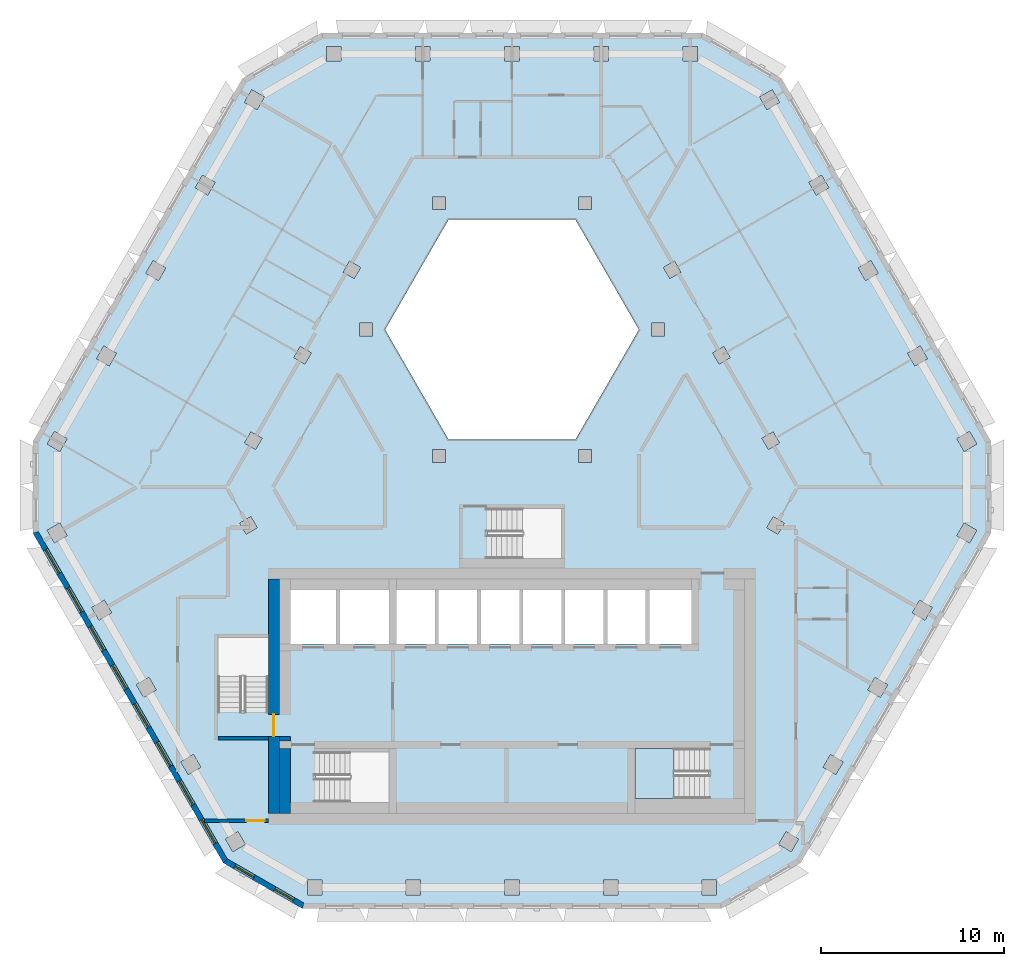
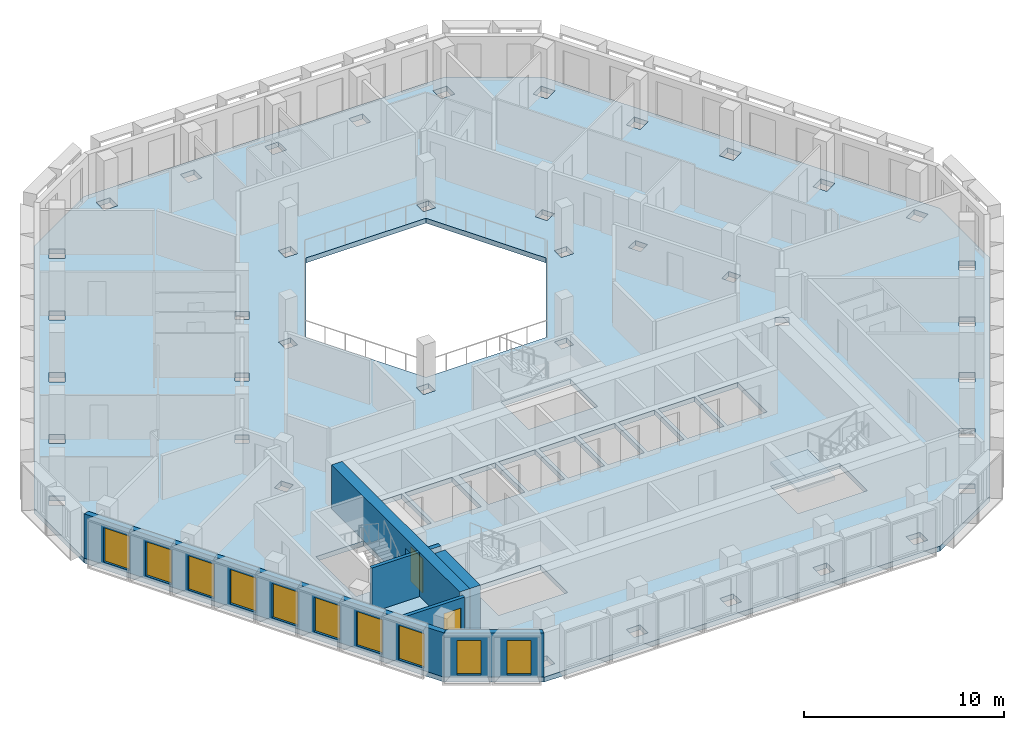
# One storey, part 2 of 17: 10 windows, 7 walls, 2 doors, 2 slabs, 12 openings, 1 element without a shape of its own.
"""IFC4 building model written with IfcOpenShell, lengths in metres."""

from ifc_helpers import new_model, si_unit, direction, frame, frame_2d, origin, place, context, subcontext, project, spatial, polyline, rectangle, outline, extrude, material, layer, layer_set, type_object, element, fill, aggregate, save


model = new_model("IFC4")

# Units and contexts
model_context = context("Model", 3, precision=1e-05, world=origin(), true_north=direction((0.0, 1.0)))
body_context = subcontext(model_context, "Body", "Model", "MODEL_VIEW")
ifc_project = project(units=[si_unit("LENGTHUNIT", "METRE"), si_unit("AREAUNIT", "SQUARE_METRE"), si_unit("VOLUMEUNIT", "CUBIC_METRE"), si_unit("PLANEANGLEUNIT", "RADIAN"), si_unit("MASSUNIT", "GRAM", prefix="KILO")], contexts=[model_context])

# Site, building, storey
site_placement = place(None, origin())
site = spatial("IfcSite", under=ifc_project, at=site_placement, CompositionType="ELEMENT")
building_placement = place(site_placement, origin())
building = spatial("IfcBuilding", under=site, at=building_placement, Name="Beryl Residences", CompositionType="ELEMENT")
storey_placement = place(building_placement, frame((0.0, 0.0, 178.199951171875)))
storey = spatial("IfcBuildingStorey", under=building, at=storey_placement, Name="L54", CompositionType="ELEMENT", Elevation=178.199951171875)

# Slab
ifc_material_1 = material(Name="Concrete C40/50", Category="concrete")
ifc_layer_1 = layer(ifc_material_1, 0.300048828125)
ifc_layer_set_1 = layer_set([ifc_layer_1], Name="SL7 PT floor slab 300 mm C40/50")
slab_type_1 = type_object("IfcSlabType", Name="SL7 PT floor slab 300 mm C40/50", PredefinedType="FLOOR", material=ifc_layer_set_1)
slab_1_placement = place(storey_placement, frame((0.0, 0.0, -0.300048828125)))
element("IfcSlab", 1, at=slab_1_placement, inside=storey, type_object=slab_type_1, Name="L54 slab 1", PredefinedType="FLOOR", context=body_context, shape_type="SweptSolid", body=[
    extrude(outline(polyline([(26.154052734375, -3.10009765625), (15.760986328125, -21.10009765625), (11.430908203125, -23.60009765625), (-11.430908203125, -23.60009765625), (-15.760986328125, -21.10009765625), (-26.154052734375, -3.10009765625), (-26.154052734375, 1.89990234375), (-14.721923828125, 21.699951171875), (-10.39208984375, 24.199951171875), (10.39208984375, 24.199951171875), (14.721923828125, 21.699951171875), (26.154052734375, 1.89990234375), (26.154052734375, -3.10009765625)]), holes=[polyline([(24.971923828125, 2.446044921875), (24.280029296875, 2.0458984375), (24.679931640625, 1.35400390625), (25.3720703125, 1.75390625), (24.971923828125, 2.446044921875)]), polyline([(24.678955078125, -2.554931640625), (24.279052734375, -3.2470703125), (24.970947265625, -3.64697265625), (25.37109375, -2.955078125), (24.678955078125, -2.554931640625)]), polyline([(22.2470703125, -6.76806640625), (21.846923828125, -7.4599609375), (22.5390625, -7.860107421875), (22.93896484375, -7.16796875), (22.2470703125, -6.76806640625)]), polyline([(22.280029296875, 7.10791015625), (21.587890625, 6.7080078125), (21.988037109375, 6.01611328125), (22.679931640625, 6.416015625), (22.280029296875, 7.10791015625)]), polyline([(19.4150390625, -11.672119140625), (20.10693359375, -12.072021484375), (20.507080078125, -11.3798828125), (19.81494140625, -10.97998046875), (19.4150390625, -11.672119140625)]), polyline([(18.89599609375, 11.37109375), (19.2958984375, 10.678955078125), (19.988037109375, 11.0791015625), (19.587890625, 11.77099609375), (18.89599609375, 11.37109375)]), polyline([(18.074951171875, -15.592041015625), (17.383056640625, -15.19189453125), (16.98291015625, -15.884033203125), (17.675048828125, -16.283935546875), (18.074951171875, -15.592041015625)]), polyline([(16.89599609375, 16.43408203125), (16.2041015625, 16.033935546875), (16.60400390625, 15.342041015625), (17.2958984375, 15.741943359375), (16.89599609375, 16.43408203125)]), polyline([(15.64306640625, -19.804931640625), (14.950927734375, -19.405029296875), (14.551025390625, -20.096923828125), (15.242919921875, -20.4970703125), (15.64306640625, -19.804931640625)]), polyline([(14.860107421875, -2.56103515625), (14.25390625, -2.2109375), (13.904052734375, -2.81689453125), (14.510009765625, -3.1669921875), (14.860107421875, -2.56103515625)]), polyline([(14.2041015625, 21.095947265625), (13.511962890625, 20.696044921875), (13.912109375, 20.00390625), (14.60400390625, 20.404052734375), (14.2041015625, 21.095947265625)]), polyline([(13.64501953125, 2.06494140625), (13.9951171875, 1.458984375), (14.60107421875, 1.80908203125), (14.2509765625, 2.4150390625), (13.64501953125, 2.06494140625)]), polyline([(11.55908203125, 7.077880859375), (10.952880859375, 6.72802734375), (11.302978515625, 6.1220703125), (11.908935546875, 6.471923828125), (11.55908203125, 7.077880859375)]), polyline([(11.1689453125, -22.050048828125), (10.368896484375, -22.050048828125), (10.368896484375, -22.85009765625), (11.1689453125, -22.85009765625), (11.1689453125, -22.050048828125)]), polyline([(6.699951171875, -14.85009765625), (6.699951171875, -17.60009765625), (10.699951171875, -17.60009765625), (10.699951171875, -14.85009765625), (6.699951171875, -14.85009765625)]), polyline([(9.327880859375, 23.449951171875), (9.327880859375, 22.64990234375), (10.1279296875, 22.64990234375), (10.1279296875, 23.449951171875), (9.327880859375, 23.449951171875)]), polyline([(7.5, -9.14990234375), (9.800048828125, -9.14990234375), (9.800048828125, -6.199951171875), (7.5, -6.199951171875), (7.5, -9.14990234375)]), polyline([(8.260986328125, 11.39111328125), (8.611083984375, 10.784912109375), (9.217041015625, 11.135009765625), (8.866943359375, 11.740966796875), (8.260986328125, 11.39111328125)]), polyline([(8.31689453125, 7.64990234375), (8.31689453125, 8.35009765625), (7.616943359375, 8.35009765625), (7.616943359375, 7.64990234375), (8.31689453125, 7.64990234375)]), polyline([(5.199951171875, -9.14990234375), (7.300048828125, -9.14990234375), (7.300048828125, -6.199951171875), (5.199951171875, -6.199951171875), (5.199951171875, -9.14990234375)]), polyline([(3.464111328125, 14.0), (-3.464111328125, 14.0), (-6.92822265625, 8.0), (-3.464111328125, 2.0), (3.464111328125, 2.0), (6.92822265625, 8.0), (3.464111328125, 14.0)]), polyline([(5.784912109375, -22.85009765625), (5.784912109375, -22.050048828125), (4.985107421875, -22.050048828125), (4.985107421875, -22.85009765625), (5.784912109375, -22.85009765625)]), polyline([(4.464111328125, 23.449951171875), (4.464111328125, 22.64990234375), (5.263916015625, 22.64990234375), (5.263916015625, 23.449951171875), (4.464111328125, 23.449951171875)]), polyline([(5.0, -9.14990234375), (5.0, -6.199951171875), (2.89990234375, -6.199951171875), (2.89990234375, -9.14990234375), (5.0, -9.14990234375)]), polyline([(4.333984375, 14.550048828125), (4.333984375, 15.25), (3.634033203125, 15.25), (3.634033203125, 14.550048828125), (4.333984375, 14.550048828125)]), polyline([(4.333984375, 1.449951171875), (3.634033203125, 1.449951171875), (3.634033203125, 0.75), (4.333984375, 0.75), (4.333984375, 1.449951171875)]), polyline([(2.699951171875, -4.5), (2.699951171875, -1.75), (-1.300048828125, -1.75), (-1.300048828125, -4.5), (2.699951171875, -4.5)]), polyline([(0.60009765625, -9.14990234375), (2.699951171875, -9.14990234375), (2.699951171875, -6.199951171875), (0.60009765625, -6.199951171875), (0.60009765625, -9.14990234375)]), polyline([(-0.39892578125, -22.050048828125), (-0.39892578125, -22.85009765625), (0.40087890625, -22.85009765625), (0.40087890625, -22.050048828125), (-0.39892578125, -22.050048828125)]), polyline([(0.39990234375, 22.64990234375), (0.39990234375, 23.449951171875), (-0.39990234375, 23.449951171875), (-0.39990234375, 22.64990234375), (0.39990234375, 22.64990234375)]), polyline([(0.39990234375, -6.199951171875), (-1.699951171875, -6.199951171875), (-1.699951171875, -9.14990234375), (0.39990234375, -9.14990234375), (0.39990234375, -6.199951171875)]), polyline([(-4.0, -9.14990234375), (-1.89990234375, -9.14990234375), (-1.89990234375, -6.199951171875), (-4.0, -6.199951171875), (-4.0, -9.14990234375)]), polyline([(-3.634033203125, 15.25), (-4.333984375, 15.25), (-4.333984375, 14.550048828125), (-3.634033203125, 14.550048828125), (-3.634033203125, 15.25)]), polyline([(-3.634033203125, 0.75), (-3.634033203125, 1.449951171875), (-4.333984375, 1.449951171875), (-4.333984375, 0.75), (-3.634033203125, 0.75)]), polyline([(-6.300048828125, -9.14990234375), (-4.199951171875, -9.14990234375), (-4.199951171875, -6.199951171875), (-6.300048828125, -6.199951171875), (-6.300048828125, -9.14990234375)]), polyline([(-5.263916015625, 23.449951171875), (-5.263916015625, 22.64990234375), (-4.464111328125, 22.64990234375), (-4.464111328125, 23.449951171875), (-5.263916015625, 23.449951171875)]), polyline([(-4.98291015625, -22.85009765625), (-4.98291015625, -22.050048828125), (-5.782958984375, -22.050048828125), (-5.782958984375, -22.85009765625), (-4.98291015625, -22.85009765625)]), polyline([(-6.699951171875, -6.199951171875), (-9.39990234375, -6.199951171875), (-9.39990234375, -9.14990234375), (-6.699951171875, -9.14990234375), (-6.699951171875, -6.199951171875)]), polyline([(-10.699951171875, -15.050048828125), (-10.699951171875, -17.800048828125), (-6.699951171875, -17.800048828125), (-6.699951171875, -15.050048828125), (-10.699951171875, -15.050048828125)]), polyline([(-7.616943359375, 7.64990234375), (-7.616943359375, 8.35009765625), (-8.31689453125, 8.35009765625), (-8.31689453125, 7.64990234375), (-7.616943359375, 7.64990234375)]), polyline([(-8.611083984375, 10.784912109375), (-8.260986328125, 11.39111328125), (-8.866943359375, 11.740966796875), (-9.217041015625, 11.135009765625), (-8.611083984375, 10.784912109375)]), polyline([(-10.1279296875, 23.449951171875), (-10.1279296875, 22.64990234375), (-9.327880859375, 22.64990234375), (-9.327880859375, 23.449951171875), (-10.1279296875, 23.449951171875)]), polyline([(-12.10009765625, -9.14990234375), (-9.60009765625, -9.14990234375), (-9.60009765625, -6.199951171875), (-12.10009765625, -6.199951171875), (-12.10009765625, -9.14990234375)]), polyline([(-11.1669921875, -22.050048828125), (-11.1669921875, -22.85009765625), (-10.366943359375, -22.85009765625), (-10.366943359375, -22.050048828125), (-11.1669921875, -22.050048828125)]), polyline([(-11.908935546875, 6.471923828125), (-11.302978515625, 6.1220703125), (-10.952880859375, 6.72802734375), (-11.55908203125, 7.077880859375), (-11.908935546875, 6.471923828125)]), polyline([(-13.300048828125, -8.800048828125), (-16.050048828125, -8.800048828125), (-16.050048828125, -12.800048828125), (-13.300048828125, -12.800048828125), (-13.300048828125, -8.800048828125)]), polyline([(-13.912109375, 20.00390625), (-13.511962890625, 20.696044921875), (-14.2041015625, 21.095947265625), (-14.60400390625, 20.404052734375), (-13.912109375, 20.00390625)]), polyline([(-13.9951171875, 1.458984375), (-13.64501953125, 2.06494140625), (-14.2509765625, 2.4150390625), (-14.60107421875, 1.80908203125), (-13.9951171875, 1.458984375)]), polyline([(-14.510986328125, -3.1650390625), (-13.905029296875, -2.81494140625), (-14.2548828125, -2.208984375), (-14.861083984375, -2.55908203125), (-14.510986328125, -3.1650390625)]), polyline([(-14.552001953125, -20.094970703125), (-14.951904296875, -19.403076171875), (-15.64404296875, -19.802978515625), (-15.243896484375, -20.4951171875), (-14.552001953125, -20.094970703125)]), polyline([(-16.60400390625, 15.342041015625), (-16.2041015625, 16.033935546875), (-16.89599609375, 16.43408203125), (-17.2958984375, 15.741943359375), (-16.60400390625, 15.342041015625)]), polyline([(-16.98388671875, -15.882080078125), (-17.384033203125, -15.18994140625), (-18.075927734375, -15.590087890625), (-17.676025390625, -16.281982421875), (-16.98388671875, -15.882080078125)]), polyline([(-18.89599609375, 11.37109375), (-19.587890625, 11.77099609375), (-19.988037109375, 11.0791015625), (-19.2958984375, 10.678955078125), (-18.89599609375, 11.37109375)]), polyline([(-20.10791015625, -12.070068359375), (-19.416015625, -11.669921875), (-19.81591796875, -10.97802734375), (-20.508056640625, -11.3779296875), (-20.10791015625, -12.070068359375)]), polyline([(-22.679931640625, 6.416015625), (-21.988037109375, 6.01611328125), (-21.587890625, 6.7080078125), (-22.280029296875, 7.10791015625), (-22.679931640625, 6.416015625)]), polyline([(-21.847900390625, -7.4580078125), (-22.248046875, -6.76611328125), (-22.93994140625, -7.166015625), (-22.5400390625, -7.85791015625), (-21.847900390625, -7.4580078125)]), polyline([(-25.3720703125, 1.75390625), (-24.679931640625, 1.35400390625), (-24.280029296875, 2.0458984375), (-24.971923828125, 2.446044921875), (-25.3720703125, 1.75390625)]), polyline([(-24.280029296875, -3.2451171875), (-24.679931640625, -2.552978515625), (-25.3720703125, -2.952880859375), (-24.971923828125, -3.64501953125), (-24.280029296875, -3.2451171875)])]), origin(), (0.0, 0.0, 1.0), 0.300048828125),
])

# Stair, slab
ifc_material_2 = material(Name="Concrete C40/50", Category="concrete")
stair_type = type_object("IfcStairType", Name="ST1 protected exit stair, half-turn, 1300 mm flights", PredefinedType="HALF_TURN_STAIR", material=ifc_material_2)
stair_placement = place(storey_placement, origin())
stair = element("IfcStair", 2, at=stair_placement, inside=storey, type_object=stair_type, Name="L54 PROTECTED EXIT STAIR ST-3", PredefinedType="HALF_TURN_STAIR")
ifc_material_3 = material(Name="Concrete C40/50", Category="concrete")
ifc_layer_2 = layer(ifc_material_3, 0.199951171875)
ifc_layer_set_2 = layer_set([ifc_layer_2], Name="SLD1 stair landing 200 mm")
slab_type_2 = type_object("IfcSlabType", Name="SLD1 stair landing 200 mm", PredefinedType="LANDING", material=ifc_layer_set_2)
slab_2_placement = place(storey_placement, frame((0.0, 0.0, 1.300048828125)))
slab_2 = element("IfcSlab", 3, at=slab_2_placement, type_object=slab_type_2, Name="ST-3 landing 1", PredefinedType="LANDING", context=body_context, shape_type="SweptSolid", body=[
    extrude(outline(polyline([(8.840087890625, -14.85009765625), (6.699951171875, -14.85009765625), (6.699951171875, -17.60009765625), (8.840087890625, -17.60009765625), (8.840087890625, -14.85009765625)])), origin(), (0.0, 0.0, 1.0), 0.199951171875),
])
aggregate(stair, [slab_2])

# Wall, openings, windows
ifc_material_4 = material(Name="Composite metal panel with mineral wool insulation")
ifc_layer_3 = layer(ifc_material_4, 0.300048828125)
ifc_layer_set_3 = layer_set([ifc_layer_3], Name="ES1 pale metal composite panel wall 300 mm")
wall_type_1 = type_object("IfcWallType", Name="ES1 pale metal composite panel wall 300 mm", PredefinedType="SOLIDWALL", material=ifc_layer_set_3)
wall_1_placement = place(storey_placement, frame((-26.02392578125, -3.02490234375, 0.0), z_axis=(0.0, 0.0, 1.0), x_axis=(0.500018670445, -0.86601462413, 0.0)))
wall_1 = element("IfcWall", 4, at=wall_1_placement, inside=storey, type_object=wall_type_1, Name="ES1 external wall L54 SW", PredefinedType="SOLIDWALL", context=body_context, shape_type="SweptSolid", body=[
    extrude(outline(polyline([(0.0, -0.14990234375), (20.784912109375, -0.14990234375), (20.70458984375, 0.14990234375), (0.080322265625, 0.14990234375), (0.0, -0.14990234375)])), origin(), (0.0, 0.0, 1.0), 2.699951171875),
])
opening_1_placement = place(wall_1_placement, frame((1.1298828125, 0.0, 0.14990234375)))
opening_1 = element("IfcOpeningElement", 5, at=opening_1_placement, cuts=wall_1, Name="Opening W1", PredefinedType="OPENING", context=body_context, shape_type="SweptSolid", body=[
    extrude(rectangle(XDim=1.5, YDim=2.10009765625, at=frame_2d((0.75, 1.050048828125))), frame((0.0, 0.159912109375, 0.0), z_axis=(0.0, -1.0, 0.0), x_axis=(1.0, 0.0, 0.0)), (0.0, 0.0, 1.0), 0.320068359375),
])
opening_2_placement = place(wall_1_placement, frame((3.56201171875, 0.0, 0.14990234375)))
opening_2 = element("IfcOpeningElement", 6, at=opening_2_placement, cuts=wall_1, Name="Opening W1", PredefinedType="OPENING", context=body_context, shape_type="SweptSolid", body=[
    extrude(rectangle(XDim=1.5, YDim=2.10009765625, at=frame_2d((0.75, 1.050048828125))), frame((0.0, 0.159912109375, 0.0), z_axis=(0.0, -1.0, 0.0), x_axis=(1.0, 0.0, 0.0)), (0.0, 0.0, 1.0), 0.320068359375),
])
opening_3_placement = place(wall_1_placement, frame((5.993896484375, 0.0, 0.14990234375)))
opening_3 = element("IfcOpeningElement", 7, at=opening_3_placement, cuts=wall_1, Name="Opening W1", PredefinedType="OPENING", context=body_context, shape_type="SweptSolid", body=[
    extrude(rectangle(XDim=1.5, YDim=2.10009765625, at=frame_2d((0.75, 1.050048828125))), frame((0.0, 0.159912109375, 0.0), z_axis=(0.0, -1.0, 0.0), x_axis=(1.0, 0.0, 0.0)), (0.0, 0.0, 1.0), 0.320068359375),
])
opening_4_placement = place(wall_1_placement, frame((8.425048828125, 0.0, 0.14990234375)))
opening_4 = element("IfcOpeningElement", 8, at=opening_4_placement, cuts=wall_1, Name="Opening W1", PredefinedType="OPENING", context=body_context, shape_type="SweptSolid", body=[
    extrude(rectangle(XDim=1.5, YDim=2.10009765625, at=frame_2d((0.75, 1.050048828125))), frame((0.0, 0.159912109375, 0.0), z_axis=(0.0, -1.0, 0.0), x_axis=(1.0, 0.0, 0.0)), (0.0, 0.0, 1.0), 0.320068359375),
])
opening_5_placement = place(wall_1_placement, frame((10.85693359375, 0.0, 0.14990234375)))
opening_5 = element("IfcOpeningElement", 9, at=opening_5_placement, cuts=wall_1, Name="Opening W1", PredefinedType="OPENING", context=body_context, shape_type="SweptSolid", body=[
    extrude(rectangle(XDim=1.5, YDim=2.10009765625, at=frame_2d((0.75, 1.050048828125))), frame((0.0, 0.159912109375, 0.0), z_axis=(0.0, -1.0, 0.0), x_axis=(1.0, 0.0, 0.0)), (0.0, 0.0, 1.0), 0.320068359375),
])
opening_6_placement = place(wall_1_placement, frame((13.2890625, 0.0, 0.14990234375)))
opening_6 = element("IfcOpeningElement", 10, at=opening_6_placement, cuts=wall_1, Name="Opening W1", PredefinedType="OPENING", context=body_context, shape_type="SweptSolid", body=[
    extrude(rectangle(XDim=1.5, YDim=2.10009765625, at=frame_2d((0.75, 1.050048828125))), frame((0.0, 0.159912109375, 0.0), z_axis=(0.0, -1.0, 0.0), x_axis=(1.0, 0.0, 0.0)), (0.0, 0.0, 1.0), 0.320068359375),
])
opening_7_placement = place(wall_1_placement, frame((15.721923828125, 0.0, 0.14990234375)))
opening_7 = element("IfcOpeningElement", 11, at=opening_7_placement, cuts=wall_1, Name="Opening W1", PredefinedType="OPENING", context=body_context, shape_type="SweptSolid", body=[
    extrude(rectangle(XDim=1.5, YDim=2.10009765625, at=frame_2d((0.75, 1.050048828125))), frame((0.0, 0.159912109375, 0.0), z_axis=(0.0, -1.0, 0.0), x_axis=(1.0, 0.0, 0.0)), (0.0, 0.0, 1.0), 0.320068359375),
])
opening_8_placement = place(wall_1_placement, frame((18.154052734375, 0.0, 0.14990234375)))
opening_8 = element("IfcOpeningElement", 12, at=opening_8_placement, cuts=wall_1, Name="Opening W1", PredefinedType="OPENING", context=body_context, shape_type="SweptSolid", body=[
    extrude(rectangle(XDim=1.5, YDim=2.10009765625, at=frame_2d((0.75, 1.050048828125))), frame((0.0, 0.159912109375, 0.0), z_axis=(0.0, -1.0, 0.0), x_axis=(1.0, 0.0, 0.0)), (0.0, 0.0, 1.0), 0.320068359375),
])
ifc_material_5 = material(Name="Aluminium and clear glass", Category="aluminium")
window_type_1 = type_object("IfcWindowType", Name="W1 cell window 1500 x 2100 mm", PartitioningType="SINGLE_PANEL", PredefinedType="WINDOW", material=ifc_material_5)
window_1_placement = place(opening_1_placement, origin())
window_1 = element("IfcWindow", 13, at=window_1_placement, inside=storey, type_object=window_type_1, Name="W1 window L54 SW 1", OverallHeight=2.10009765625, OverallWidth=1.5, PartitioningType="SINGLE_PANEL", PredefinedType="WINDOW", context=body_context, shape_type="SweptSolid", body=[
    extrude(rectangle(XDim=1.5, YDim=2.10009765625, at=frame_2d((0.75, 1.050048828125))), frame((0.0, 0.030029296875, 0.0), z_axis=(0.0, -1.0, 0.0), x_axis=(1.0, 0.0, 0.0)), (0.0, 0.0, 1.0), 0.06005859375),
])
fill(opening_1, window_1)
window_2_placement = place(opening_2_placement, origin())
window_2 = element("IfcWindow", 14, at=window_2_placement, inside=storey, type_object=window_type_1, Name="W1 window L54 SW 2", OverallHeight=2.10009765625, OverallWidth=1.5, PartitioningType="SINGLE_PANEL", PredefinedType="WINDOW", context=body_context, shape_type="SweptSolid", body=[
    extrude(rectangle(XDim=1.5, YDim=2.10009765625, at=frame_2d((0.75, 1.050048828125))), frame((0.0, 0.030029296875, 0.0), z_axis=(0.0, -1.0, 0.0), x_axis=(1.0, 0.0, 0.0)), (0.0, 0.0, 1.0), 0.06005859375),
])
fill(opening_2, window_2)
window_3_placement = place(opening_3_placement, origin())
window_3 = element("IfcWindow", 15, at=window_3_placement, inside=storey, type_object=window_type_1, Name="W1 window L54 SW 3", OverallHeight=2.10009765625, OverallWidth=1.5, PartitioningType="SINGLE_PANEL", PredefinedType="WINDOW", context=body_context, shape_type="SweptSolid", body=[
    extrude(rectangle(XDim=1.5, YDim=2.10009765625, at=frame_2d((0.75, 1.050048828125))), frame((0.0, 0.030029296875, 0.0), z_axis=(0.0, -1.0, 0.0), x_axis=(1.0, 0.0, 0.0)), (0.0, 0.0, 1.0), 0.06005859375),
])
fill(opening_3, window_3)
window_4_placement = place(opening_4_placement, origin())
window_4 = element("IfcWindow", 16, at=window_4_placement, inside=storey, type_object=window_type_1, Name="W1 window L54 SW 4", OverallHeight=2.10009765625, OverallWidth=1.5, PartitioningType="SINGLE_PANEL", PredefinedType="WINDOW", context=body_context, shape_type="SweptSolid", body=[
    extrude(rectangle(XDim=1.5, YDim=2.10009765625, at=frame_2d((0.75, 1.050048828125))), frame((0.0, 0.030029296875, 0.0), z_axis=(0.0, -1.0, 0.0), x_axis=(1.0, 0.0, 0.0)), (0.0, 0.0, 1.0), 0.06005859375),
])
fill(opening_4, window_4)
window_5_placement = place(opening_5_placement, origin())
window_5 = element("IfcWindow", 17, at=window_5_placement, inside=storey, type_object=window_type_1, Name="W1 window L54 SW 5", OverallHeight=2.10009765625, OverallWidth=1.5, PartitioningType="SINGLE_PANEL", PredefinedType="WINDOW", context=body_context, shape_type="SweptSolid", body=[
    extrude(rectangle(XDim=1.5, YDim=2.10009765625, at=frame_2d((0.75, 1.050048828125))), frame((0.0, 0.030029296875, 0.0), z_axis=(0.0, -1.0, 0.0), x_axis=(1.0, 0.0, 0.0)), (0.0, 0.0, 1.0), 0.06005859375),
])
fill(opening_5, window_5)
window_6_placement = place(opening_6_placement, origin())
window_6 = element("IfcWindow", 18, at=window_6_placement, inside=storey, type_object=window_type_1, Name="W1 window L54 SW 6", OverallHeight=2.10009765625, OverallWidth=1.5, PartitioningType="SINGLE_PANEL", PredefinedType="WINDOW", context=body_context, shape_type="SweptSolid", body=[
    extrude(rectangle(XDim=1.5, YDim=2.10009765625, at=frame_2d((0.75, 1.050048828125))), frame((0.0, 0.030029296875, 0.0), z_axis=(0.0, -1.0, 0.0), x_axis=(1.0, 0.0, 0.0)), (0.0, 0.0, 1.0), 0.06005859375),
])
fill(opening_6, window_6)
window_7_placement = place(opening_7_placement, origin())
window_7 = element("IfcWindow", 19, at=window_7_placement, inside=storey, type_object=window_type_1, Name="W1 window L54 SW 7", OverallHeight=2.10009765625, OverallWidth=1.5, PartitioningType="SINGLE_PANEL", PredefinedType="WINDOW", context=body_context, shape_type="SweptSolid", body=[
    extrude(rectangle(XDim=1.5, YDim=2.10009765625, at=frame_2d((0.75, 1.050048828125))), frame((0.0, 0.030029296875, 0.0), z_axis=(0.0, -1.0, 0.0), x_axis=(1.0, 0.0, 0.0)), (0.0, 0.0, 1.0), 0.06005859375),
])
fill(opening_7, window_7)
window_8_placement = place(opening_8_placement, origin())
window_8 = element("IfcWindow", 20, at=window_8_placement, inside=storey, type_object=window_type_1, Name="W1 window L54 SW 8", OverallHeight=2.10009765625, OverallWidth=1.5, PartitioningType="SINGLE_PANEL", PredefinedType="WINDOW", context=body_context, shape_type="SweptSolid", body=[
    extrude(rectangle(XDim=1.5, YDim=2.10009765625, at=frame_2d((0.75, 1.050048828125))), frame((0.0, 0.030029296875, 0.0), z_axis=(0.0, -1.0, 0.0), x_axis=(1.0, 0.0, 0.0)), (0.0, 0.0, 1.0), 0.06005859375),
])
fill(opening_8, window_8)

wall_2_placement = place(storey_placement, frame((-15.68603515625, -20.969970703125, 0.0), z_axis=(0.0, 0.0, 1.0), x_axis=(0.866022959057, -0.500004234368, 0.0)))
wall_2 = element("IfcWall", 21, at=wall_2_placement, inside=storey, type_object=wall_type_1, Name="ES1 external wall L54 SW-S", PredefinedType="SOLIDWALL", context=body_context, shape_type="SweptSolid", body=[
    extrude(outline(polyline([(0.0, -0.14990234375), (5.0, -0.14990234375), (4.919677734375, 0.14990234375), (0.080322265625, 0.14990234375), (0.0, -0.14990234375)])), origin(), (0.0, 0.0, 1.0), 2.699951171875),
])
opening_9_placement = place(wall_2_placement, frame((0.64990234375, 0.0, 0.14990234375)))
opening_9 = element("IfcOpeningElement", 22, at=opening_9_placement, cuts=wall_2, Name="Opening W2", PredefinedType="OPENING", context=body_context, shape_type="SweptSolid", body=[
    extrude(rectangle(XDim=1.199951171875, YDim=2.10009765625, at=frame_2d((0.60009765625, 1.050048828125))), frame((0.0, 0.159912109375, 0.0), z_axis=(0.0, -1.0, 0.0), x_axis=(1.0, 0.0, 0.0)), (0.0, 0.0, 1.0), 0.320068359375),
])
opening_10_placement = place(wall_2_placement, frame((3.14990234375, 0.0, 0.14990234375)))
opening_10 = element("IfcOpeningElement", 23, at=opening_10_placement, cuts=wall_2, Name="Opening W2", PredefinedType="OPENING", context=body_context, shape_type="SweptSolid", body=[
    extrude(rectangle(XDim=1.199951171875, YDim=2.10009765625, at=frame_2d((0.60009765625, 1.050048828125))), frame((0.0, 0.159912109375, 0.0), z_axis=(0.0, -1.0, 0.0), x_axis=(1.0, 0.0, 0.0)), (0.0, 0.0, 1.0), 0.320068359375),
])
ifc_material_6 = material(Name="Aluminium and clear glass", Category="aluminium")
window_type_2 = type_object("IfcWindowType", Name="W2 chamfer window 1200 x 2100 mm", PartitioningType="SINGLE_PANEL", PredefinedType="WINDOW", material=ifc_material_6)
window_9_placement = place(opening_9_placement, origin())
window_9 = element("IfcWindow", 24, at=window_9_placement, inside=storey, type_object=window_type_2, Name="W2 window L54 SW-S 1", OverallHeight=2.10009765625, OverallWidth=1.199951171875, PartitioningType="SINGLE_PANEL", PredefinedType="WINDOW", context=body_context, shape_type="SweptSolid", body=[
    extrude(rectangle(XDim=1.199951171875, YDim=2.10009765625, at=frame_2d((0.60009765625, 1.050048828125))), frame((0.0, 0.030029296875, 0.0), z_axis=(0.0, -1.0, 0.0), x_axis=(1.0, 0.0, 0.0)), (0.0, 0.0, 1.0), 0.06005859375),
])
fill(opening_9, window_9)
window_10_placement = place(opening_10_placement, origin())
window_10 = element("IfcWindow", 25, at=window_10_placement, inside=storey, type_object=window_type_2, Name="W2 window L54 SW-S 2", OverallHeight=2.10009765625, OverallWidth=1.199951171875, PartitioningType="SINGLE_PANEL", PredefinedType="WINDOW", context=body_context, shape_type="SweptSolid", body=[
    extrude(rectangle(XDim=1.199951171875, YDim=2.10009765625, at=frame_2d((0.60009765625, 1.050048828125))), frame((0.0, 0.030029296875, 0.0), z_axis=(0.0, -1.0, 0.0), x_axis=(1.0, 0.0, 0.0)), (0.0, 0.0, 1.0), 0.06005859375),
])
fill(opening_10, window_10)

# Wall
ifc_material_7 = material(Name="Concrete masonry", Category="masonry")
ifc_layer_4 = layer(ifc_material_7, 0.25)
ifc_layer_set_4 = layer_set([ifc_layer_4], Name="PT13-250 lobby wall 250 mm")
wall_type_2 = type_object("IfcWallType", Name="PT13-250 lobby wall 250 mm", PredefinedType="PARTITIONING", material=ifc_layer_set_4)
wall_3_placement = place(storey_placement, frame((-12.699951171875, -14.324951171875, 0.0), z_axis=(0.0, 0.0, 1.0), x_axis=(1.0, 0.0, 0.0)))
element("IfcWall", 26, at=wall_3_placement, inside=storey, type_object=wall_type_2, Name="Lobby wall 05", PredefinedType="PARTITIONING", context=body_context, shape_type="SweptSolid", body=[
    extrude(rectangle(XDim=0.599853515625, YDim=0.25, at=frame_2d((0.2998046875, 0.0))), origin(), (0.0, 0.0, 1.0), 2.699951171875),
])

# Wall, opening, door
ifc_material_8 = material(Name="Double stud gypsum board wall")
ifc_layer_5 = layer(ifc_material_8, 0.199951171875)
ifc_layer_set_5 = layer_set([ifc_layer_5], Name="PT4 corridor wall 200 mm double stud")
wall_type_3 = type_object("IfcWallType", Name="PT4 corridor wall 200 mm double stud", PredefinedType="PARTITIONING", material=ifc_layer_set_5)
wall_4_placement = place(storey_placement, frame((-16.7919921875, -18.800048828125, 0.0), z_axis=(0.0, 0.0, 1.0), x_axis=(1.0, 0.0, 0.0)))
wall_4 = element("IfcWall", 27, at=wall_4_placement, inside=storey, type_object=wall_type_3, Name="Wall PT4 L54 027", PredefinedType="PARTITIONING", context=body_context, shape_type="SweptSolid", body=[
    extrude(rectangle(XDim=3.491943359375, YDim=0.199951171875, at=frame_2d((1.74609375, 0.0))), origin(), (0.0, 0.0, 1.0), 2.699951171875),
])
opening_11_placement = place(wall_4_placement, frame((2.2919921875, 0.0, 0.0)))
opening_11 = element("IfcOpeningElement", 28, at=opening_11_placement, cuts=wall_4, Name="Opening D1441", PredefinedType="OPENING", context=body_context, shape_type="SweptSolid", body=[
    extrude(rectangle(XDim=1.0, YDim=2.10009765625, at=frame_2d((0.5, 1.050048828125))), frame((0.0, 0.10986328125, 0.0), z_axis=(0.0, -1.0, 0.0), x_axis=(1.0, 0.0, 0.0)), (0.0, 0.0, 1.0), 0.219970703125),
])
ifc_material_9 = material(Name="Timber door leaf", Category="wood")
door_type_1 = type_object("IfcDoorType", Name="D1 flat entrance door 1000 x 2100 mm", OperationType="SINGLE_SWING_LEFT", PredefinedType="DOOR", material=ifc_material_9)
door_1_placement = place(opening_11_placement, origin())
door_1 = element("IfcDoor", 29, at=door_1_placement, inside=storey, type_object=door_type_1, Name="Door D1441 L54 001", OperationType="SINGLE_SWING_RIGHT", OverallHeight=2.10009765625, OverallWidth=1.0, PredefinedType="DOOR", context=body_context, shape_type="SweptSolid", body=[
    extrude(rectangle(XDim=1.0, YDim=2.10009765625, at=frame_2d((0.5, 1.050048828125))), frame((0.0, 0.02490234375, 0.0), z_axis=(0.0, -1.0, 0.0), x_axis=(1.0, 0.0, 0.0)), (0.0, 0.0, 1.0), 0.050048828125),
])
fill(opening_11, door_1)

# Walls
ifc_material_10 = material(Name="Concrete C40/50", Category="concrete")
ifc_layer_6 = layer(ifc_material_10, 0.199951171875)
ifc_layer_set_6 = layer_set([ifc_layer_6], Name="PT5 stair enclosure wall 200 mm reinforced concrete C40/50")
wall_type_4 = type_object("IfcWallType", Name="PT5 stair enclosure wall 200 mm reinforced concrete C40/50", PredefinedType="SOLIDWALL", material=ifc_layer_set_6)
wall_5_placement = place(storey_placement, frame((-16.050048828125, -14.300048828125, 0.0), z_axis=(0.0, 0.0, 1.0), x_axis=(1.0, 0.0, 0.0)))
element("IfcWall", 30, at=wall_5_placement, inside=storey, type_object=wall_type_4, Name="Stair wall 02", PredefinedType="SOLIDWALL", context=body_context, shape_type="SweptSolid", body=[
    extrude(rectangle(XDim=2.75, YDim=0.199951171875, at=frame_2d((1.375, 0.0))), origin(), (0.0, 0.0, 1.0), 2.699951171875),
])
ifc_material_11 = material(Name="Concrete C40/50", Category="concrete")
ifc_layer_7 = layer(ifc_material_11, 0.60009765625)
ifc_layer_set_7 = layer_set([ifc_layer_7], Name="PT5-600 stair enclosure wall 600 mm")
wall_type_5 = type_object("IfcWallType", Name="PT5-600 stair enclosure wall 600 mm", PredefinedType="SOLIDWALL", material=ifc_layer_set_7)
wall_6_placement = place(storey_placement, frame((-12.39990234375, -18.39990234375, 0.0), z_axis=(0.0, 0.0, 1.0), x_axis=(0.0, 1.0, 0.0)))
element("IfcWall", 31, at=wall_6_placement, inside=storey, type_object=wall_type_5, Name="Stair wall 04", PredefinedType="SOLIDWALL", context=body_context, shape_type="SweptSolid", body=[
    extrude(rectangle(XDim=3.5498046875, YDim=0.60009765625, at=frame_2d((1.77490234375, 0.0))), origin(), (0.0, 0.0, 1.0), 2.699951171875),
])

# Wall, opening, door
ifc_material_12 = material(Name="Concrete C50/60", Category="concrete")
ifc_layer_8 = layer(ifc_material_12, 0.60009765625)
ifc_layer_set_8 = layer_set([ifc_layer_8], Name="SW4 core outer wall 600 mm C50/60")
wall_type_6 = type_object("IfcWallType", Name="SW4 core outer wall 600 mm C50/60", PredefinedType="SHEAR", material=ifc_layer_set_8)
wall_7_placement = place(storey_placement, frame((-13.0, -18.39990234375, 0.0), z_axis=(0.0, 0.0, 1.0), x_axis=(0.0, 1.0, 0.0)))
wall_7 = element("IfcWall", 32, at=wall_7_placement, inside=storey, type_object=wall_type_6, Name="Core wall W L54", PredefinedType="SHEAR", context=body_context, shape_type="SweptSolid", body=[
    extrude(rectangle(XDim=12.7998046875, YDim=0.60009765625, at=frame_2d((6.39990234375, 0.0))), origin(), (0.0, 0.0, 1.0), 2.699951171875),
])
opening_12_placement = place(wall_7_placement, frame((4.199951171875, 0.0, 0.0)))
opening_12 = element("IfcOpeningElement", 33, at=opening_12_placement, cuts=wall_7, Name="Opening SD-2", PredefinedType="OPENING", context=body_context, shape_type="SweptSolid", body=[
    extrude(rectangle(XDim=1.199951171875, YDim=2.10009765625, at=frame_2d((0.60009765625, 1.050048828125))), frame((0.0, 0.31005859375, 0.0), z_axis=(0.0, -1.0, 0.0), x_axis=(1.0, 0.0, 0.0)), (0.0, 0.0, 1.0), 0.6201171875),
])
ifc_material_13 = material(Name="Steel door leaf in steel frame", Category="steel")
door_type_2 = type_object("IfcDoorType", Name="D4 stair door 1200 x 2100 mm", OperationType="SINGLE_SWING_LEFT", PredefinedType="DOOR", material=ifc_material_13)
door_2_placement = place(opening_12_placement, origin())
door_2 = element("IfcDoor", 34, at=door_2_placement, inside=storey, type_object=door_type_2, Name="Door SD-2 L54 001", OperationType="SINGLE_SWING_RIGHT", OverallHeight=2.10009765625, OverallWidth=1.199951171875, PredefinedType="DOOR", context=body_context, shape_type="SweptSolid", body=[
    extrude(rectangle(XDim=1.199951171875, YDim=2.10009765625, at=frame_2d((0.60009765625, 1.050048828125))), frame((0.0, 0.02490234375, 0.0), z_axis=(0.0, -1.0, 0.0), x_axis=(1.0, 0.0, 0.0)), (0.0, 0.0, 1.0), 0.050048828125),
])
fill(opening_12, door_2)

save(model, "model.ifc")
